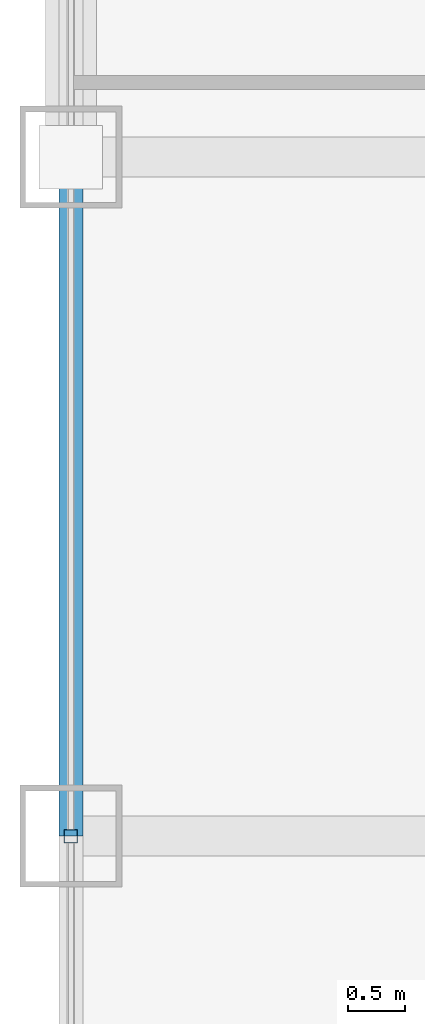
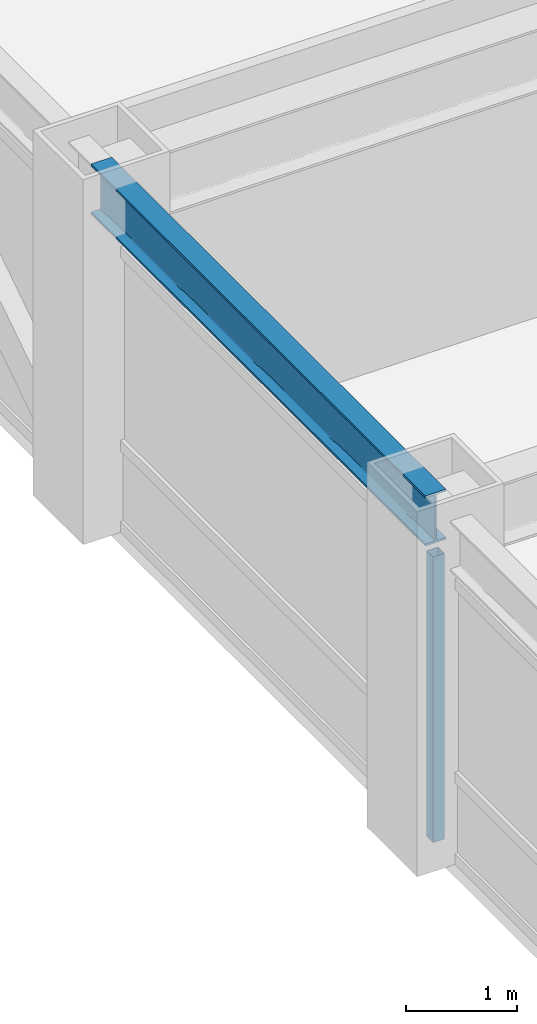
# One storey, part 6 of 22: 1 beam, 1 member, 1 element without a shape of its own.
"""IFC4 building model written with IfcOpenShell, lengths in metres."""

from ifc_helpers import new_model, si_unit, direction, frame, origin, origin_2d, place, context, subcontext, project, spatial, hollow_rectangle, i_section, extrude, source, transform, mapped, material, material_profile, profile_set, type_object, element, aggregate, save


model = new_model("IFC4")

# Units and contexts
model_context = context("Model", 3, precision=1e-05, world=origin(), true_north=direction((0.0, 1.0)))
body_context = subcontext(model_context, "Body", "Model", "MODEL_VIEW")
ifc_project = project(units=[si_unit("LENGTHUNIT", "METRE"), si_unit("AREAUNIT", "SQUARE_METRE"), si_unit("VOLUMEUNIT", "CUBIC_METRE"), si_unit("PLANEANGLEUNIT", "RADIAN"), si_unit("MASSUNIT", "GRAM", prefix="KILO")], contexts=[model_context])

# Site, building, storey
site_placement = place(None, origin())
site = spatial("IfcSite", under=ifc_project, at=site_placement, CompositionType="ELEMENT")
building_placement = place(site_placement, origin())
building = spatial("IfcBuilding", under=site, at=building_placement, Name="Khorayat Bourse Tower", CompositionType="ELEMENT")
storey_placement = place(building_placement, frame((0.0, 0.0, 297.5)))
storey = spatial("IfcBuildingStorey", under=building, at=storey_placement, Name="L70", CompositionType="ELEMENT", Elevation=297.5)

# Beam
ifc_material_1 = material(Name="Steel ASTM A992 Grade 50", Category="steel")
ifc_material_profile_1 = material_profile(ifc_material_1, i_section(OverallWidth=0.214111328125, OverallDepth=0.549072265625, WebThickness=0.0146484375, FlangeThickness=0.023681640625, FilletRadius=0.013916015625, at=origin_2d()), Name="W530X138")
ifc_profile_set_1 = profile_set([ifc_material_profile_1], Name="Steel ASTM A992 Grade 50")
beam_type = type_object("IfcBeamType", Name="BM-SPAN-530", PredefinedType="SPANDREL", material=ifc_profile_set_1)
shared_shape_1 = source(origin(), body_context, "Body", "SweptSolid", [
    extrude(i_section(OverallWidth=0.214111328125, OverallDepth=0.549072265625, WebThickness=0.0146484375, FlangeThickness=0.023681640625, FilletRadius=0.013916015625, at=origin_2d()), origin(), (0.0, 0.0, 1.0), 6.0),
])
beam_placement = place(storey_placement, frame((-28.0, 0.0, 3.505615234375), z_axis=(0.0, 1.0, 0.0), x_axis=(-1.0, 0.0, 0.0)))
element("IfcBeam", 1, at=beam_placement, inside=storey, type_object=beam_type, Name="L70 BM-SPAN-530 BM-L70-SPN-057", PredefinedType="SPANDREL", context=body_context, shape_type="MappedRepresentation", body=[
    mapped(shared_shape_1, transform((0.0, 0.0, 0.0), scale=1.0)),
])

# Curtain wall, member
ifc_material_2 = material(Name="Aluminium EN AW-6063 T6", Category="aluminium")
curtain_wall_type = type_object("IfcCurtainWallType", Name="CW-SYS-04", PredefinedType="NOTDEFINED", material=ifc_material_2)
curtain_wall_placement = place(storey_placement, origin())
curtain_wall = element("IfcCurtainWall", 2, at=curtain_wall_placement, inside=storey, type_object=curtain_wall_type, Name="L70 Curtain Wall CW-L70-W1", PredefinedType="NOTDEFINED")
ifc_material_profile_2 = material_profile(ifc_material_2, hollow_rectangle(XDim=0.1201171875, YDim=0.1201171875, WallThickness=0.0048828125, at=origin_2d()), Name="ALU 120x120x5")
ifc_profile_set_2 = profile_set([ifc_material_profile_2], Name="Aluminium EN AW-6063 T6")
member_type = type_object("IfcMemberType", Name="CWM-VERT-120", PredefinedType="MULLION", material=ifc_profile_set_2)
shared_shape_2 = source(origin(), body_context, "Body", "SweptSolid", [
    extrude(hollow_rectangle(XDim=0.1201171875, YDim=0.1201171875, WallThickness=0.0048828125, at=origin_2d()), origin(), (0.0, 0.0, 1.0), 3.1298828125),
])
member_placement = place(storey_placement, frame((-28.0, 0.0, 0.0), z_axis=(0.0, 0.0, 1.0), x_axis=(-1.0, 0.0, 0.0)))
member = element("IfcMember", 3, at=member_placement, type_object=member_type, Name="CW-L70-W1 Vertical Mullion 2", PredefinedType="MULLION", context=body_context, shape_type="MappedRepresentation", body=[
    mapped(shared_shape_2, transform((0.0, 0.0, 0.0), scale=1.0)),
])
aggregate(curtain_wall, [member])

save(model, "model.ifc")
